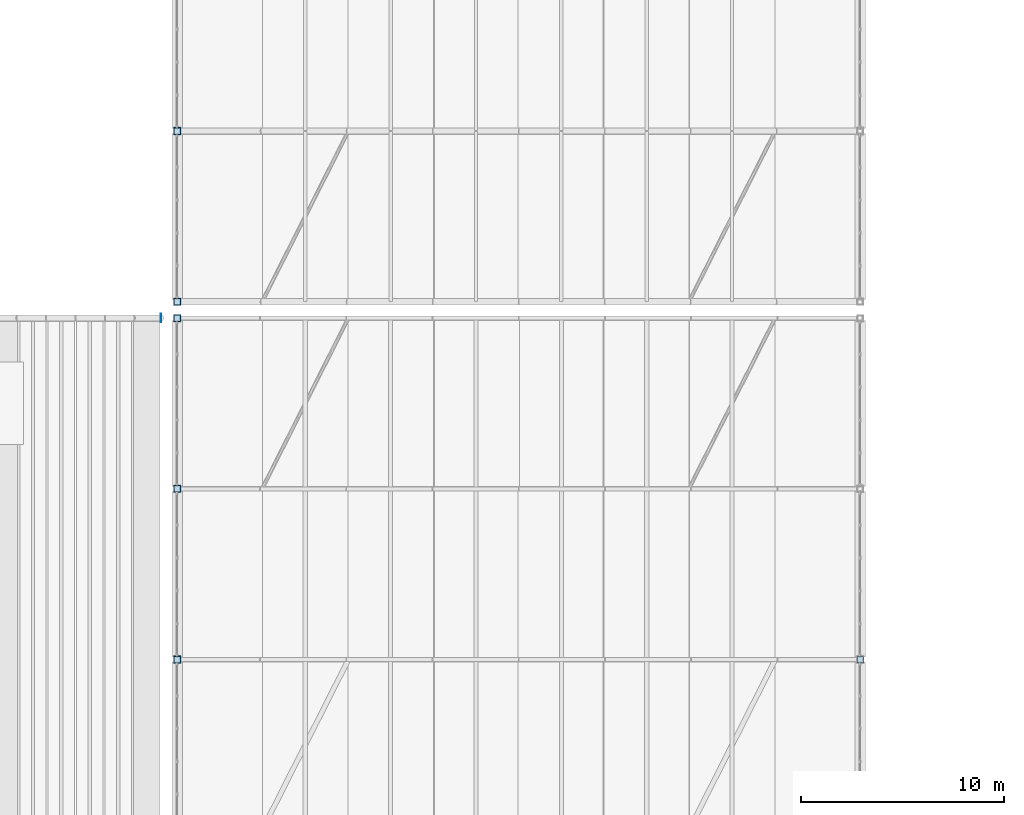
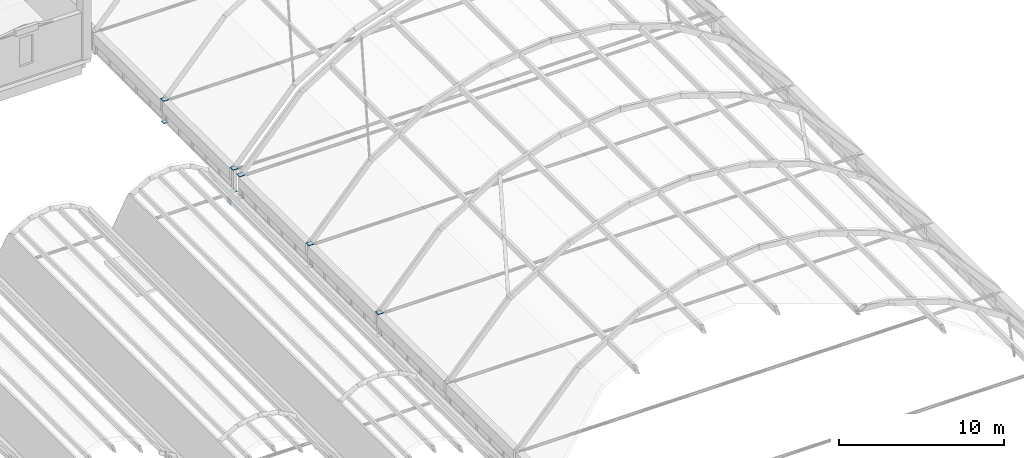
# One storey, part 99 of 114: 18 plates.
"""IFC4 building model written with IfcOpenShell, lengths in metres."""

from ifc_helpers import new_model, si_unit, direction, frame, origin, origin_2d, place, context, subcontext, project, spatial, rectangle, extrude, material, layer, layer_set, type_object, element, save


model = new_model("IFC4")

# Units and contexts
model_context = context("Model", 3, precision=1e-05, world=origin(), true_north=direction((0.0, 1.0)))
body_context = subcontext(model_context, "Body", "Model", "MODEL_VIEW")
ifc_project = project(units=[si_unit("LENGTHUNIT", "METRE"), si_unit("AREAUNIT", "SQUARE_METRE"), si_unit("VOLUMEUNIT", "CUBIC_METRE"), si_unit("PLANEANGLEUNIT", "RADIAN"), si_unit("MASSUNIT", "GRAM", prefix="KILO")], contexts=[model_context])

# Site, building, storey
site_placement = place(None, origin())
site = spatial("IfcSite", under=ifc_project, at=site_placement, CompositionType="ELEMENT")
building_placement = place(site_placement, origin())
building = spatial("IfcBuilding", under=site, at=building_placement, Name="Xazarin Passage Department Store", CompositionType="ELEMENT")
storey_placement = place(building_placement, frame((0.0, 0.0, 14.39990234375)))
storey = spatial("IfcBuildingStorey", under=building, at=storey_placement, Name="L03", CompositionType="ELEMENT", Elevation=14.39990234375)

# Plates
ifc_material = material(Name="Steel S355", Category="steel")
ifc_layer_1 = layer(ifc_material, 0.02001953125)
ifc_layer_set_1 = layer_set([ifc_layer_1], Name="Steel S355")
plate_type_1 = type_object("IfcPlateType", Name="STR-PLT-CAP20", PredefinedType="USERDEFINED", material=ifc_layer_set_1)
plate_placement = place(storey_placement, frame((67.199951171875, 50.39990234375, -0.2099609375), z_axis=(0.0, 0.0, 1.0), x_axis=(1.0, 0.0, 0.0)))
element("IfcPlate", 1, at=plate_placement, inside=storey, type_object=plate_type_1, Name="L03 V3 Shell Arch Rib End Cap 7.3.E", ObjectType="GUSSET PLATE", PredefinedType="USERDEFINED", context=body_context, shape_type="SweptSolid", body=[
    extrude(rectangle(XDim=0.035888671875, YDim=0.419921875, at=origin_2d()), origin(), (0.0, 0.0, 1.0), 0.419921875),
])
ifc_layer_2 = layer(ifc_material, 0.02392578125)
ifc_layer_set_2 = layer_set([ifc_layer_2], Name="Steel S355")
plate_type_2 = type_object("IfcPlateType", Name="STR-PLT-CAP24", PredefinedType="USERDEFINED", material=ifc_layer_set_2)
for number, where, z_axis, x_axis, name in (
    (2, (68.0, 33.60009765625, -0.01611328125), (0.0, 0.0, 1.0), (1.0, 0.0, 0.0), "V2S Drum Column End Cap W-5-B"),
    (3, (68.0, 33.60009765625, 1.6357421875), (0.0, 0.0, 1.0), (1.0, 0.0, 0.0), "V2S Drum Column End Cap W-5-T"),
    (4, (101.60009765625, 33.60009765625, -0.01611328125), (0.0, 0.0, 1.0), (1.0, 0.0, 0.0), "V2S Drum Column End Cap E-5-B"),
    (5, (101.60009765625, 33.60009765625, 1.6357421875), (0.0, 0.0, 1.0), (1.0, 0.0, 0.0), "V2S Drum Column End Cap E-5-T"),
    (6, (68.0, 42.0, -0.01611328125), (0.0, 0.0, 1.0), (1.0, 0.0, 0.0), "V2S Drum Column End Cap W-6-B"),
    (7, (68.0, 42.0, 1.6357421875), (0.0, 0.0, 1.0), (1.0, 0.0, 0.0), "V2S Drum Column End Cap W-6-T"),
    (8, (68.0, 50.39990234375, -0.01611328125), (0.0, 0.0, 1.0), (1.0, 0.0, 0.0), "V2S Drum Column End Cap W-7-B"),
    (9, (68.0, 50.39990234375, 1.6357421875), (0.0, 0.0, 1.0), (1.0, 0.0, 0.0), "V2S Drum Column End Cap W-7-T"),
):
    element("IfcPlate", number, at=place(storey_placement, frame(where, z_axis=z_axis, x_axis=x_axis)), inside=storey, type_object=plate_type_2, Name=name, ObjectType="GUSSET PLATE", PredefinedType="USERDEFINED", context=body_context, shape_type="SweptSolid", body=[
        extrude(rectangle(XDim=0.320068359375, YDim=0.320068359375, at=origin_2d()), origin(), (0.0, 0.0, 1.0), 0.031982421875),
    ])
for number, where, z_axis, x_axis, name in (
    (10, (68.0, 33.60009765625, 1.65185546875), (0.0, 0.0, 1.0), (1.0, 0.0, 0.0), "V2S Arch Springing Cap Plate W-5"),
    (11, (68.0, 42.0, 1.65185546875), (0.0, 0.0, 1.0), (1.0, 0.0, 0.0), "V2S Arch Springing Cap Plate W-6"),
    (12, (68.0, 50.39990234375, 1.65185546875), (0.0, 0.0, 1.0), (1.0, 0.0, 0.0), "V2S Arch Springing Cap Plate W-7"),
):
    element("IfcPlate", number, at=place(storey_placement, frame(where, z_axis=z_axis, x_axis=x_axis)), inside=storey, type_object=plate_type_2, Name=name, ObjectType="GUSSET PLATE", PredefinedType="USERDEFINED", context=body_context, shape_type="SweptSolid", body=[
        extrude(rectangle(XDim=0.3798828125, YDim=0.3798828125, at=origin_2d()), origin(), (0.0, 0.0, 1.0), 0.02392578125),
    ])
for number, where, z_axis, x_axis, name in (
    (13, (68.0, 51.199951171875, -0.01611328125), (0.0, 0.0, 1.0), (1.0, 0.0, 0.0), "V2N Drum Column End Cap W-1-B"),
    (14, (68.0, 51.199951171875, 1.6357421875), (0.0, 0.0, 1.0), (1.0, 0.0, 0.0), "V2N Drum Column End Cap W-1-T"),
    (15, (68.0, 59.60009765625, -0.01611328125), (0.0, 0.0, 1.0), (1.0, 0.0, 0.0), "V2N Drum Column End Cap W-2-B"),
    (16, (68.0, 59.60009765625, 1.6357421875), (0.0, 0.0, 1.0), (1.0, 0.0, 0.0), "V2N Drum Column End Cap W-2-T"),
):
    element("IfcPlate", number, at=place(storey_placement, frame(where, z_axis=z_axis, x_axis=x_axis)), inside=storey, type_object=plate_type_2, Name=name, ObjectType="GUSSET PLATE", PredefinedType="USERDEFINED", context=body_context, shape_type="SweptSolid", body=[
        extrude(rectangle(XDim=0.320068359375, YDim=0.320068359375, at=origin_2d()), origin(), (0.0, 0.0, 1.0), 0.031982421875),
    ])
for number, where, z_axis, x_axis, name in (
    (17, (68.0, 51.199951171875, 1.65185546875), (0.0, 0.0, 1.0), (1.0, 0.0, 0.0), "V2N Arch Springing Cap Plate W-1"),
    (18, (68.0, 59.60009765625, 1.65185546875), (0.0, 0.0, 1.0), (1.0, 0.0, 0.0), "V2N Arch Springing Cap Plate W-2"),
):
    element("IfcPlate", number, at=place(storey_placement, frame(where, z_axis=z_axis, x_axis=x_axis)), inside=storey, type_object=plate_type_2, Name=name, ObjectType="GUSSET PLATE", PredefinedType="USERDEFINED", context=body_context, shape_type="SweptSolid", body=[
        extrude(rectangle(XDim=0.3798828125, YDim=0.3798828125, at=origin_2d()), origin(), (0.0, 0.0, 1.0), 0.02392578125),
    ])

save(model, "model.ifc")
